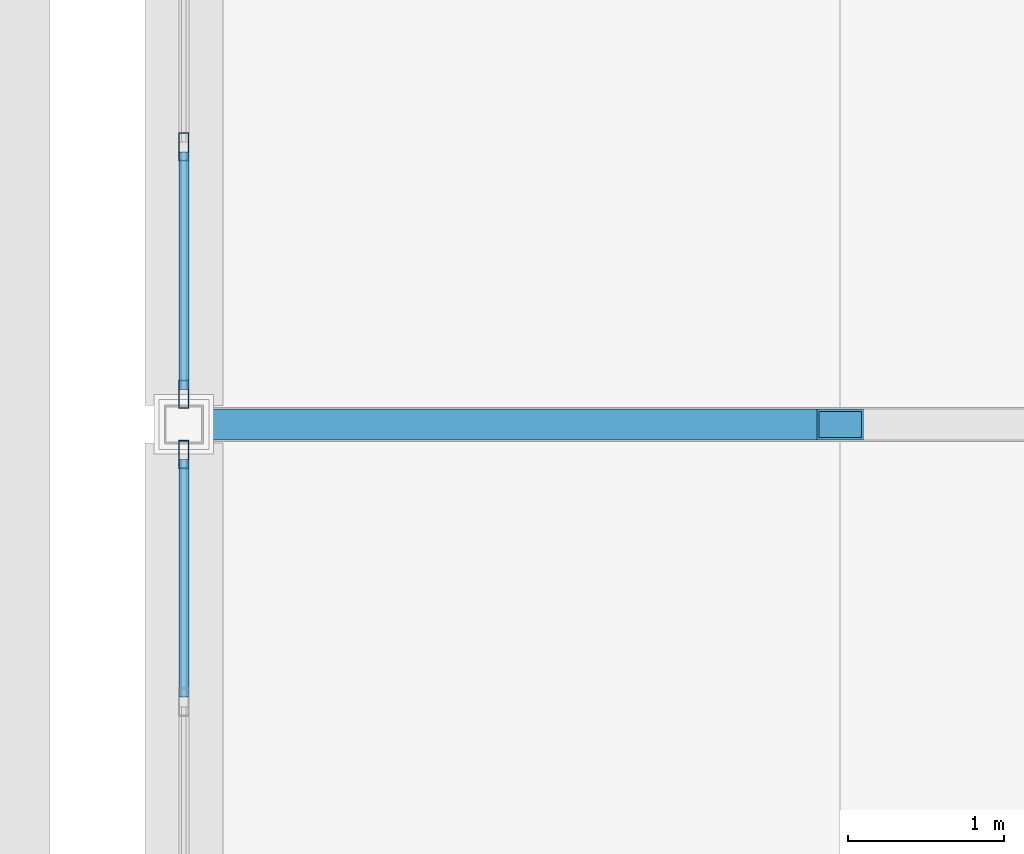
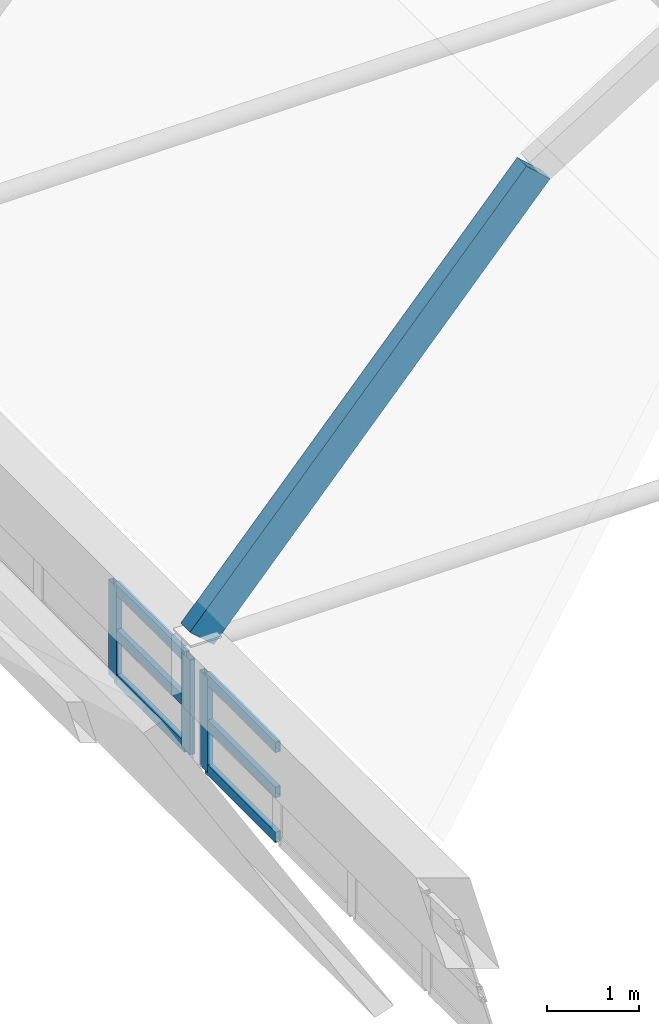
# One storey, part 25 of 114: 9 members, 1 beam, 2 elements without a shape of their own.
"""IFC4 building model written with IfcOpenShell, lengths in metres."""

from ifc_helpers import new_model, si_unit, direction, frame, origin, origin_2d, place, context, subcontext, project, spatial, hollow_rectangle, extrude, material, layer, layer_set, material_profile, profile_set, type_object, element, aggregate, save


model = new_model("IFC4")

# Units and contexts
model_context = context("Model", 3, precision=1e-05, world=origin(), true_north=direction((0.0, 1.0)))
body_context = subcontext(model_context, "Body", "Model", "MODEL_VIEW")
ifc_project = project(units=[si_unit("LENGTHUNIT", "METRE"), si_unit("AREAUNIT", "SQUARE_METRE"), si_unit("VOLUMEUNIT", "CUBIC_METRE"), si_unit("PLANEANGLEUNIT", "RADIAN"), si_unit("MASSUNIT", "GRAM", prefix="KILO")], contexts=[model_context])

# Site, building, storey
site_placement = place(None, origin())
site = spatial("IfcSite", under=ifc_project, at=site_placement, CompositionType="ELEMENT")
building_placement = place(site_placement, origin())
building = spatial("IfcBuilding", under=site, at=building_placement, Name="Xazarin Passage Department Store", CompositionType="ELEMENT")
storey_placement = place(building_placement, frame((0.0, 0.0, 14.39990234375)))
storey = spatial("IfcBuildingStorey", under=building, at=storey_placement, Name="L03", CompositionType="ELEMENT", Elevation=14.39990234375)

# Curtain wall, member
ifc_material_1 = material(Name="Bronze anodised aluminium", Category="aluminium")
ifc_layer = layer(ifc_material_1, 0.159912109375)
ifc_layer_set = layer_set([ifc_layer], Name="Bronze anodised aluminium")
curtain_wall_type = type_object("IfcCurtainWallType", Name="ARC-CW-ARC1", PredefinedType="NOTDEFINED", material=ifc_layer_set)
curtain_wall_1_placement = place(storey_placement, origin())
curtain_wall_1 = element("IfcCurtainWall", 1, at=curtain_wall_1_placement, inside=storey, type_object=curtain_wall_type, Name="L03 V2S Galleria Clerestory Curtain Wall 4W", PredefinedType="NOTDEFINED")
ifc_material_profile_1 = material_profile(ifc_material_1, hollow_rectangle(XDim=0.06494140625, YDim=0.179931640625, WallThickness=0.00390625, at=origin_2d()), Name="ALU 65x180")
ifc_profile_set_1 = profile_set([ifc_material_profile_1], Name="Bronze anodised aluminium")
member_type_1 = type_object("IfcMemberType", Name="ARC-CWM-65x180", PredefinedType="MULLION", material=ifc_profile_set_1)
member_1_placement = place(storey_placement, frame((68.0, 33.407470703125, 0.0), z_axis=(0.0, 0.0, 1.0), x_axis=(-1.0, 0.0, 0.0)))
member_1 = element("IfcMember", 2, at=member_1_placement, type_object=member_type_1, Name="CW3 mullion 6", PredefinedType="MULLION", context=body_context, shape_type="SweptSolid", body=[
    extrude(hollow_rectangle(XDim=0.06494140625, YDim=0.179931640625, WallThickness=0.00390625, at=origin_2d()), origin(), (0.0, 0.0, 1.0), 1.251708984375),
])

# Curtain wall, members
curtain_wall_2_placement = place(storey_placement, origin())
curtain_wall_2 = element("IfcCurtainWall", 3, at=curtain_wall_2_placement, inside=storey, type_object=curtain_wall_type, Name="L03 V2S Galleria Clerestory Curtain Wall 5W", PredefinedType="NOTDEFINED")
member_2_placement = place(storey_placement, frame((68.0, 33.79248046875, 0.0), z_axis=(0.0, 0.0, 1.0), x_axis=(-1.0, 0.0, 0.0)))
member_2 = element("IfcMember", 4, at=member_2_placement, type_object=member_type_1, Name="CW3 mullion 1", PredefinedType="MULLION", context=body_context, shape_type="SweptSolid", body=[
    extrude(hollow_rectangle(XDim=0.06494140625, YDim=0.179931640625, WallThickness=0.00390625, at=origin_2d()), origin(), (0.0, 0.0, 1.0), 1.251708984375),
])
member_3_placement = place(storey_placement, frame((68.0, 35.3759765625, 0.0), z_axis=(0.0, 0.0, 1.0), x_axis=(-1.0, 0.0, 0.0)))
member_3 = element("IfcMember", 5, at=member_3_placement, type_object=member_type_1, Name="CW3 mullion 2", PredefinedType="MULLION", context=body_context, shape_type="SweptSolid", body=[
    extrude(hollow_rectangle(XDim=0.06494140625, YDim=0.179931640625, WallThickness=0.00390625, at=origin_2d()), origin(), (0.0, 0.0, 1.0), 1.251708984375),
])

# Member
ifc_material_profile_2 = material_profile(ifc_material_1, hollow_rectangle(XDim=0.06494140625, YDim=0.139892578125, WallThickness=0.00390625, at=origin_2d()), Name="ALU 65x140")
ifc_profile_set_2 = profile_set([ifc_material_profile_2], Name="Bronze anodised aluminium")
member_type_2 = type_object("IfcMemberType", Name="ARC-CWT-65x140", PredefinedType="USERDEFINED", material=ifc_profile_set_2)
member_4_placement = place(storey_placement, frame((68.0, 31.8564453125, 0.03271484375), z_axis=(0.0, 1.0, 0.0), x_axis=(-1.0, 0.0, 0.0)))
member_4 = element("IfcMember", 6, at=member_4_placement, type_object=member_type_2, Name="CW3 transom 5.1", ObjectType="TRANSOM", PredefinedType="USERDEFINED", context=body_context, shape_type="SweptSolid", body=[
    extrude(hollow_rectangle(XDim=0.06494140625, YDim=0.139892578125, WallThickness=0.00390625, at=origin_2d()), origin(), (0.0, 0.0, 1.0), 1.5185546875),
])

member_5_placement = place(storey_placement, frame((68.0, 31.8564453125, 0.6259765625), z_axis=(0.0, 1.0, 0.0), x_axis=(-1.0, 0.0, 0.0)))
member_5 = element("IfcMember", 7, at=member_5_placement, type_object=member_type_2, Name="CW3 transom 5.2", ObjectType="TRANSOM", PredefinedType="USERDEFINED", context=body_context, shape_type="SweptSolid", body=[
    extrude(hollow_rectangle(XDim=0.06494140625, YDim=0.139892578125, WallThickness=0.00390625, at=origin_2d()), origin(), (0.0, 0.0, 1.0), 1.5185546875),
])

member_6_placement = place(storey_placement, frame((68.0, 31.8564453125, 1.21923828125), z_axis=(0.0, 1.0, 0.0), x_axis=(-1.0, 0.0, 0.0)))
member_6 = element("IfcMember", 8, at=member_6_placement, type_object=member_type_2, Name="CW3 transom 5.3", ObjectType="TRANSOM", PredefinedType="USERDEFINED", context=body_context, shape_type="SweptSolid", body=[
    extrude(hollow_rectangle(XDim=0.06494140625, YDim=0.139892578125, WallThickness=0.00390625, at=origin_2d()), origin(), (0.0, 0.0, 1.0), 1.5185546875),
])

aggregate(curtain_wall_1, [member_1, member_4, member_5, member_6])

member_7_placement = place(storey_placement, frame((68.0, 33.824951171875, 0.03271484375), z_axis=(0.0, 1.0, 0.0), x_axis=(-1.0, 0.0, 0.0)))
member_7 = element("IfcMember", 9, at=member_7_placement, type_object=member_type_2, Name="CW3 transom 1.1", ObjectType="TRANSOM", PredefinedType="USERDEFINED", context=body_context, shape_type="SweptSolid", body=[
    extrude(hollow_rectangle(XDim=0.06494140625, YDim=0.139892578125, WallThickness=0.00390625, at=origin_2d()), origin(), (0.0, 0.0, 1.0), 1.5185546875),
])

member_8_placement = place(storey_placement, frame((68.0, 33.824951171875, 0.6259765625), z_axis=(0.0, 1.0, 0.0), x_axis=(-1.0, 0.0, 0.0)))
member_8 = element("IfcMember", 10, at=member_8_placement, type_object=member_type_2, Name="CW3 transom 1.2", ObjectType="TRANSOM", PredefinedType="USERDEFINED", context=body_context, shape_type="SweptSolid", body=[
    extrude(hollow_rectangle(XDim=0.06494140625, YDim=0.139892578125, WallThickness=0.00390625, at=origin_2d()), origin(), (0.0, 0.0, 1.0), 1.5185546875),
])

member_9_placement = place(storey_placement, frame((68.0, 33.824951171875, 1.21923828125), z_axis=(0.0, 1.0, 0.0), x_axis=(-1.0, 0.0, 0.0)))
member_9 = element("IfcMember", 11, at=member_9_placement, type_object=member_type_2, Name="CW3 transom 1.3", ObjectType="TRANSOM", PredefinedType="USERDEFINED", context=body_context, shape_type="SweptSolid", body=[
    extrude(hollow_rectangle(XDim=0.06494140625, YDim=0.139892578125, WallThickness=0.00390625, at=origin_2d()), origin(), (0.0, 0.0, 1.0), 1.5185546875),
])

aggregate(curtain_wall_2, [member_2, member_3, member_7, member_8, member_9])

# Beam
ifc_material_2 = material(Name="Steel S355", Category="steel")
ifc_material_profile_3 = material_profile(ifc_material_2, hollow_rectangle(XDim=0.199951171875, YDim=0.39990234375, WallThickness=0.01611328125, at=origin_2d()), Name="RHS 400x200x16")
ifc_profile_set_3 = profile_set([ifc_material_profile_3], Name="Steel S355")
beam_type = type_object("IfcBeamType", Name="STR-BM-AR400", PredefinedType="BEAM", material=ifc_profile_set_3)
beam_placement = place(storey_placement, frame((68.0, 33.60009765625, 1.65185546875), z_axis=(0.667891545417, 0.0, 0.74425861336), x_axis=(0.0, 1.0, 0.0)))
element("IfcBeam", 12, at=beam_placement, inside=storey, type_object=beam_type, Name="V2S Primary Arch Rib 5.1", PredefinedType="BEAM", context=body_context, shape_type="SweptSolid", body=[
    extrude(hollow_rectangle(XDim=0.199951171875, YDim=0.39990234375, WallThickness=0.01611328125, at=origin_2d()), origin(), (0.0, 0.0, 1.0), 6.288330078125),
])

save(model, "model.ifc")
